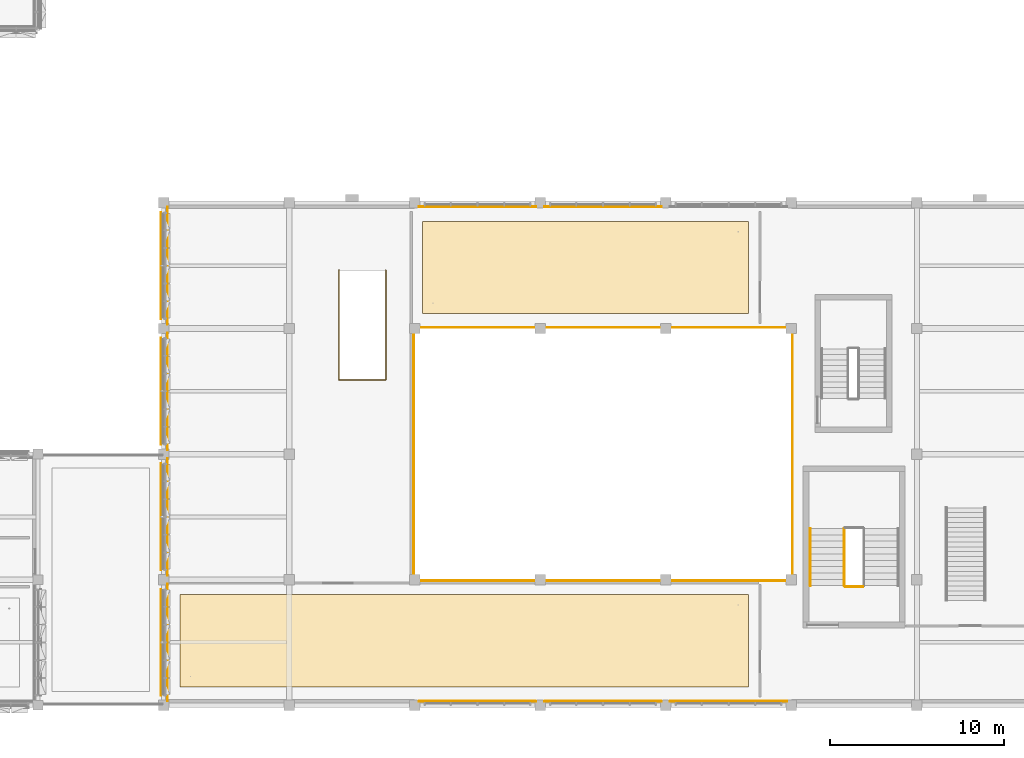
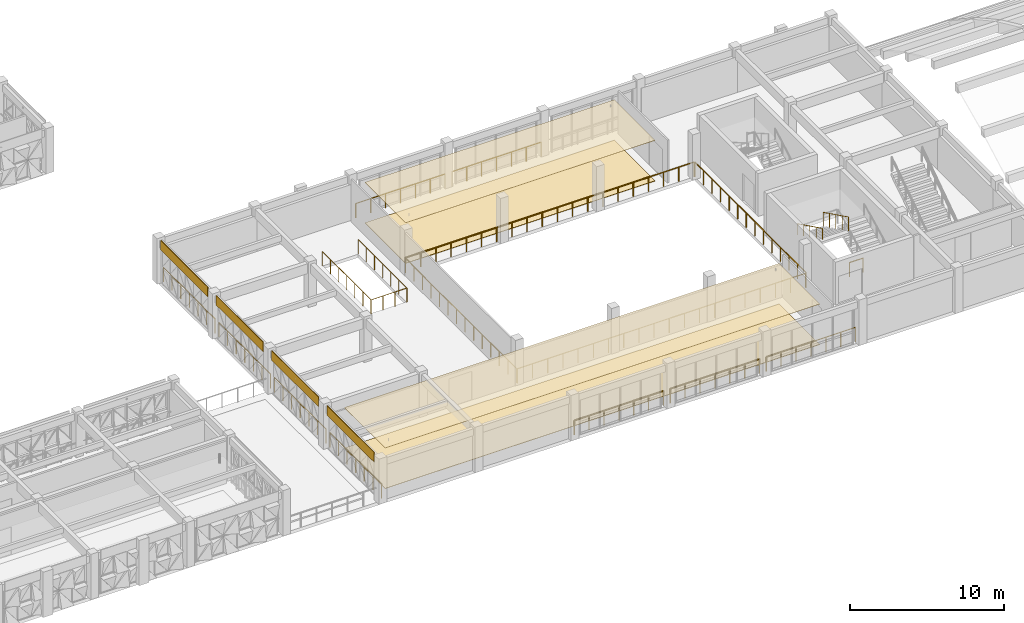
# One storey, part 72 of 85: 17 railings, 8 coverings.
"""IFC4 building model written with IfcOpenShell, lengths in metres."""

from ifc_helpers import new_model, si_unit, direction, frame, origin, origin_2d, place, context, subcontext, project, spatial, polyline, circle, outline, extrude, material, layer, layer_set, type_object, element, save


model = new_model("IFC4")

# Units and contexts
model_context = context("Model", 3, precision=1e-05, world=origin(), true_north=direction((0.0, 1.0)))
body_context = subcontext(model_context, "Body", "Model", "MODEL_VIEW")
ifc_project = project(units=[si_unit("LENGTHUNIT", "METRE"), si_unit("AREAUNIT", "SQUARE_METRE"), si_unit("VOLUMEUNIT", "CUBIC_METRE"), si_unit("PLANEANGLEUNIT", "RADIAN"), si_unit("MASSUNIT", "GRAM", prefix="KILO")], contexts=[model_context])

# Site, building, storey
site_placement = place(None, origin())
site = spatial("IfcSite", under=ifc_project, at=site_placement, CompositionType="ELEMENT")
building_placement = place(site_placement, origin())
building = spatial("IfcBuilding", under=site, at=building_placement, Name="Alvorim Cloister Faculty of Sciences", CompositionType="ELEMENT")
storey_placement = place(building_placement, frame((0.0, 0.0, 8.550048828125)))
storey = spatial("IfcBuildingStorey", under=building, at=storey_placement, Name="L02", CompositionType="ELEMENT", Elevation=8.550048828125)

# Coverings
ifc_material_1 = material(Name="Perforated Timber Acoustic Ceiling", Category="wood")
ifc_layer_1 = layer(ifc_material_1, 0.030029296875)
ifc_layer_set_1 = layer_set([ifc_layer_1], Name="Perforated Timber Acoustic Ceiling")
covering_type_1 = type_object("IfcCoveringType", Name="COV-CEIL-ACOUSTIC", PredefinedType="CEILING", material=ifc_layer_set_1)
covering_1_placement = place(storey_placement, frame((0.0, 0.0, 3.2099609375)))
element("IfcCovering", 1, at=covering_1_placement, inside=storey, type_object=covering_type_1, Name="Atrium South Tutorial Rooms Acoustic Ceiling", PredefinedType="CEILING", context=body_context, shape_type="SweptSolid", body=[
    extrude(outline(polyline([(65.75, 1.050048828125), (98.35009765625, 1.050048828125), (98.35009765625, 6.35009765625), (65.75, 6.35009765625), (65.75, 1.050048828125)])), origin(), (0.0, 0.0, 1.0), 0.030029296875),
])
covering_2_placement = place(storey_placement, frame((0.0, 0.0, 3.2099609375)))
element("IfcCovering", 2, at=covering_2_placement, inside=storey, type_object=covering_type_1, Name="Atrium North Study Bridge Acoustic Ceiling", PredefinedType="CEILING", context=body_context, shape_type="SweptSolid", body=[
    extrude(outline(polyline([(79.64990234375, 22.449951171875), (98.35009765625, 22.449951171875), (98.35009765625, 27.75), (79.64990234375, 27.75), (79.64990234375, 22.449951171875)])), origin(), (0.0, 0.0, 1.0), 0.030029296875),
])
ifc_material_2 = material(Name="Anodised Aluminium Alloy 6063-T6", Category="aluminium")
ifc_layer_2 = layer(ifc_material_2, 0.031982421875)
ifc_layer_set_2 = layer_set([ifc_layer_2], Name="Anodised Aluminium Alloy 6063-T6")
covering_type_2 = type_object("IfcCoveringType", Name="COV-FAC-CAS", PredefinedType="CLADDING", material=ifc_layer_set_2)
for number, where, z_axis, x_axis, name in (
    (3, (64.64990234375, 0.5400390625, 2.829833984375), (0.0, 0.0, 1.0), (0.0, 1.0, 0.0), "L02 Shifted Bar Slab-Edge Architectural Fascia"),
    (4, (64.64990234375, 7.739990234375, 2.829833984375), (0.0, 0.0, 1.0), (0.0, 1.0, 0.0), "L02 Shifted Bar Slab-Edge Architectural Fascia"),
    (5, (64.64990234375, 14.93994140625, 2.829833984375), (0.0, 0.0, 1.0), (0.0, 1.0, 0.0), "L02 Shifted Bar Slab-Edge Architectural Fascia"),
    (6, (64.64990234375, 22.139892578125, 2.829833984375), (0.0, 0.0, 1.0), (0.0, 1.0, 0.0), "L02 Shifted Bar Slab-Edge Architectural Fascia"),
):
    element("IfcCovering", number, at=place(storey_placement, frame(where, z_axis=z_axis, x_axis=x_axis)), inside=storey, type_object=covering_type_2, Name=name, PredefinedType="CLADDING", context=body_context, shape_type="SweptSolid", body=[
        extrude(outline(polyline([(0.0, 0.0), (6.1201171875, 0.0), (6.1201171875, 0.760009765625), (0.0, 0.760009765625), (0.0, 0.0)])), frame((0.0, 0.0224609375, 0.0), z_axis=(0.0, -1.0, 0.0), x_axis=(1.0, 0.0, 0.0)), (0.0, 0.0, 1.0), 0.044921875),
    ])
ifc_material_3 = material(Name="Polished Mineral Terrazzo", Category="concrete")
ifc_layer_3 = layer(ifc_material_3, 0.030029296875)
ifc_layer_set_3 = layer_set([ifc_layer_3], Name="Polished Mineral Terrazzo")
covering_type_3 = type_object("IfcCoveringType", Name="COV-FLR-TERRAZZO", PredefinedType="FLOORING", material=ifc_layer_set_3)
covering_3_placement = place(storey_placement, origin())
element("IfcCovering", 7, at=covering_3_placement, inside=storey, type_object=covering_type_3, Name="Atrium South Tutorial Rooms Floor Finish", PredefinedType="FLOORING", context=body_context, shape_type="SweptSolid", body=[
    extrude(outline(polyline([(65.75, 1.050048828125), (98.35009765625, 1.050048828125), (98.35009765625, 6.35009765625), (65.75, 6.35009765625), (65.75, 1.050048828125)])), origin(), (0.0, 0.0, 1.0), 0.030029296875),
])
covering_4_placement = place(storey_placement, origin())
element("IfcCovering", 8, at=covering_4_placement, inside=storey, type_object=covering_type_3, Name="Atrium North Study Bridge Floor Finish", PredefinedType="FLOORING", context=body_context, shape_type="SweptSolid", body=[
    extrude(outline(polyline([(79.64990234375, 22.449951171875), (98.35009765625, 22.449951171875), (98.35009765625, 27.75), (79.64990234375, 27.75), (79.64990234375, 22.449951171875)])), origin(), (0.0, 0.0, 1.0), 0.030029296875),
])

# Railings
ifc_material_4 = material(Name="Laminated Safety Glass and Bronze", Category="glass")
railing_type_1 = type_object("IfcRailingType", Name="RL-ATR-BAL-1150", PredefinedType="BALUSTRADE", material=ifc_material_4)
railing_1_placement = place(storey_placement, frame((93.85009765625, 0.219970703125, 0.0)))
element("IfcRailing", 9, at=railing_1_placement, inside=storey, type_object=railing_type_1, Name="L02 Curtain Wall Sill Guard BL-84", PredefinedType="BALUSTRADE", context=body_context, shape_type="SweptSolid", body=[
    extrude(circle(Radius=0.02392578125, at=origin_2d()), frame((0.0, 0.0, 1.1259765625), z_axis=(1.0, 0.0, 0.0), x_axis=(0.0, 1.0, 0.0)), (0.0, 0.0, 1.0), 6.699951171875),
    extrude(circle(Radius=0.02099609375, at=origin_2d()), origin(), (0.0, 0.0, 1.0), 1.101806640625),
    extrude(circle(Radius=0.02099609375, at=origin_2d()), frame((1.11669921875, 0.0, 0.0)), (0.0, 0.0, 1.0), 1.101806640625),
    extrude(circle(Radius=0.02099609375, at=origin_2d()), frame((2.2333984375, 0.0, 0.0)), (0.0, 0.0, 1.0), 1.101806640625),
    extrude(circle(Radius=0.02099609375, at=origin_2d()), frame((3.35009765625, 0.0, 0.0)), (0.0, 0.0, 1.0), 1.101806640625),
    extrude(circle(Radius=0.02099609375, at=origin_2d()), frame((4.466552734375, 0.0, 0.0)), (0.0, 0.0, 1.0), 1.101806640625),
    extrude(circle(Radius=0.02099609375, at=origin_2d()), frame((5.583251953125, 0.0, 0.0)), (0.0, 0.0, 1.0), 1.101806640625),
    extrude(circle(Radius=0.02099609375, at=origin_2d()), frame((6.699951171875, 0.0, 0.0)), (0.0, 0.0, 1.0), 1.101806640625),
])
railing_2_placement = place(storey_placement, frame((86.64990234375, 0.219970703125, 0.0)))
element("IfcRailing", 10, at=railing_2_placement, inside=storey, type_object=railing_type_1, Name="L02 Curtain Wall Sill Guard BL-85", PredefinedType="BALUSTRADE", context=body_context, shape_type="SweptSolid", body=[
    extrude(circle(Radius=0.02392578125, at=origin_2d()), frame((0.0, 0.0, 1.1259765625), z_axis=(1.0, 0.0, 0.0), x_axis=(0.0, 1.0, 0.0)), (0.0, 0.0, 1.0), 6.7001953125),
    extrude(circle(Radius=0.02099609375, at=origin_2d()), origin(), (0.0, 0.0, 1.0), 1.101806640625),
    extrude(circle(Radius=0.02099609375, at=origin_2d()), frame((1.11669921875, 0.0, 0.0)), (0.0, 0.0, 1.0), 1.101806640625),
    extrude(circle(Radius=0.02099609375, at=origin_2d()), frame((2.2333984375, 0.0, 0.0)), (0.0, 0.0, 1.0), 1.101806640625),
    extrude(circle(Radius=0.02099609375, at=origin_2d()), frame((3.35009765625, 0.0, 0.0)), (0.0, 0.0, 1.0), 1.101806640625),
    extrude(circle(Radius=0.02099609375, at=origin_2d()), frame((4.466796875, 0.0, 0.0)), (0.0, 0.0, 1.0), 1.101806640625),
    extrude(circle(Radius=0.02099609375, at=origin_2d()), frame((5.58349609375, 0.0, 0.0)), (0.0, 0.0, 1.0), 1.101806640625),
    extrude(circle(Radius=0.02099609375, at=origin_2d()), frame((6.7001953125, 0.0, 0.0)), (0.0, 0.0, 1.0), 1.101806640625),
])
railing_3_placement = place(storey_placement, frame((79.449951171875, 0.219970703125, 0.0)))
element("IfcRailing", 11, at=railing_3_placement, inside=storey, type_object=railing_type_1, Name="L02 Curtain Wall Sill Guard BL-86", PredefinedType="BALUSTRADE", context=body_context, shape_type="SweptSolid", body=[
    extrude(circle(Radius=0.02392578125, at=origin_2d()), frame((0.0, 0.0, 1.1259765625), z_axis=(1.0, 0.0, 0.0), x_axis=(0.0, 1.0, 0.0)), (0.0, 0.0, 1.0), 6.699951171875),
    extrude(circle(Radius=0.02099609375, at=origin_2d()), origin(), (0.0, 0.0, 1.0), 1.101806640625),
    extrude(circle(Radius=0.02099609375, at=origin_2d()), frame((1.11669921875, 0.0, 0.0)), (0.0, 0.0, 1.0), 1.101806640625),
    extrude(circle(Radius=0.02099609375, at=origin_2d()), frame((2.2333984375, 0.0, 0.0)), (0.0, 0.0, 1.0), 1.101806640625),
    extrude(circle(Radius=0.02099609375, at=origin_2d()), frame((3.35009765625, 0.0, 0.0)), (0.0, 0.0, 1.0), 1.101806640625),
    extrude(circle(Radius=0.02099609375, at=origin_2d()), frame((4.466552734375, 0.0, 0.0)), (0.0, 0.0, 1.0), 1.101806640625),
    extrude(circle(Radius=0.02099609375, at=origin_2d()), frame((5.583251953125, 0.0, 0.0)), (0.0, 0.0, 1.0), 1.101806640625),
    extrude(circle(Radius=0.02099609375, at=origin_2d()), frame((6.699951171875, 0.0, 0.0)), (0.0, 0.0, 1.0), 1.101806640625),
])
for number, where, name in (
    (12, (65.02001953125, 0.25, 0.0), "L02 Curtain Wall Sill Guard BL-87"),
    (13, (65.02001953125, 7.449951171875, 0.0), "L02 Curtain Wall Sill Guard BL-88"),
):
    element("IfcRailing", number, at=place(storey_placement, frame(where)), inside=storey, type_object=railing_type_1, Name=name, PredefinedType="BALUSTRADE", context=body_context, shape_type="SweptSolid", body=[
        extrude(circle(Radius=0.02392578125, at=origin_2d()), frame((0.0, 0.0, 1.1259765625), z_axis=(0.0, 1.0, 0.0), x_axis=(-1.0, 0.0, 0.0)), (0.0, 0.0, 1.0), 6.699951171875),
        extrude(circle(Radius=0.02099609375, at=origin_2d()), origin(), (0.0, 0.0, 1.0), 1.101806640625),
        extrude(circle(Radius=0.02099609375, at=origin_2d()), frame((0.0, 1.11669921875, 0.0)), (0.0, 0.0, 1.0), 1.101806640625),
        extrude(circle(Radius=0.02099609375, at=origin_2d()), frame((0.0, 2.2333984375, 0.0)), (0.0, 0.0, 1.0), 1.101806640625),
        extrude(circle(Radius=0.02099609375, at=origin_2d()), frame((0.0, 3.35009765625, 0.0)), (0.0, 0.0, 1.0), 1.101806640625),
        extrude(circle(Radius=0.02099609375, at=origin_2d()), frame((0.0, 4.466552734375, 0.0)), (0.0, 0.0, 1.0), 1.101806640625),
        extrude(circle(Radius=0.02099609375, at=origin_2d()), frame((0.0, 5.583251953125, 0.0)), (0.0, 0.0, 1.0), 1.101806640625),
        extrude(circle(Radius=0.02099609375, at=origin_2d()), frame((0.0, 6.699951171875, 0.0)), (0.0, 0.0, 1.0), 1.101806640625),
    ])
railing_4_placement = place(storey_placement, frame((65.02001953125, 14.64990234375, 0.0)))
element("IfcRailing", 14, at=railing_4_placement, inside=storey, type_object=railing_type_1, Name="L02 Curtain Wall Sill Guard BL-89", PredefinedType="BALUSTRADE", context=body_context, shape_type="SweptSolid", body=[
    extrude(circle(Radius=0.02392578125, at=origin_2d()), frame((0.0, 0.0, 1.1259765625), z_axis=(0.0, 1.0, 0.0), x_axis=(-1.0, 0.0, 0.0)), (0.0, 0.0, 1.0), 6.7001953125),
    extrude(circle(Radius=0.02099609375, at=origin_2d()), origin(), (0.0, 0.0, 1.0), 1.101806640625),
    extrude(circle(Radius=0.02099609375, at=origin_2d()), frame((0.0, 1.11669921875, 0.0)), (0.0, 0.0, 1.0), 1.101806640625),
    extrude(circle(Radius=0.02099609375, at=origin_2d()), frame((0.0, 2.2333984375, 0.0)), (0.0, 0.0, 1.0), 1.101806640625),
    extrude(circle(Radius=0.02099609375, at=origin_2d()), frame((0.0, 3.35009765625, 0.0)), (0.0, 0.0, 1.0), 1.101806640625),
    extrude(circle(Radius=0.02099609375, at=origin_2d()), frame((0.0, 4.466796875, 0.0)), (0.0, 0.0, 1.0), 1.101806640625),
    extrude(circle(Radius=0.02099609375, at=origin_2d()), frame((0.0, 5.58349609375, 0.0)), (0.0, 0.0, 1.0), 1.101806640625),
    extrude(circle(Radius=0.02099609375, at=origin_2d()), frame((0.0, 6.7001953125, 0.0)), (0.0, 0.0, 1.0), 1.101806640625),
])
railing_5_placement = place(storey_placement, frame((65.02001953125, 21.85009765625, 0.0)))
element("IfcRailing", 15, at=railing_5_placement, inside=storey, type_object=railing_type_1, Name="L02 Curtain Wall Sill Guard BL-90", PredefinedType="BALUSTRADE", context=body_context, shape_type="SweptSolid", body=[
    extrude(circle(Radius=0.02392578125, at=origin_2d()), frame((0.0, 0.0, 1.1259765625), z_axis=(0.0, 1.0, 0.0), x_axis=(-1.0, 0.0, 0.0)), (0.0, 0.0, 1.0), 6.699951171875),
    extrude(circle(Radius=0.02099609375, at=origin_2d()), origin(), (0.0, 0.0, 1.0), 1.101806640625),
    extrude(circle(Radius=0.02099609375, at=origin_2d()), frame((0.0, 1.11669921875, 0.0)), (0.0, 0.0, 1.0), 1.101806640625),
    extrude(circle(Radius=0.02099609375, at=origin_2d()), frame((0.0, 2.2333984375, 0.0)), (0.0, 0.0, 1.0), 1.101806640625),
    extrude(circle(Radius=0.02099609375, at=origin_2d()), frame((0.0, 3.35009765625, 0.0)), (0.0, 0.0, 1.0), 1.101806640625),
    extrude(circle(Radius=0.02099609375, at=origin_2d()), frame((0.0, 4.466552734375, 0.0)), (0.0, 0.0, 1.0), 1.101806640625),
    extrude(circle(Radius=0.02099609375, at=origin_2d()), frame((0.0, 5.583251953125, 0.0)), (0.0, 0.0, 1.0), 1.101806640625),
    extrude(circle(Radius=0.02099609375, at=origin_2d()), frame((0.0, 6.699951171875, 0.0)), (0.0, 0.0, 1.0), 1.101806640625),
])
railing_6_placement = place(storey_placement, frame((79.449951171875, 28.580078125, 0.0)))
element("IfcRailing", 16, at=railing_6_placement, inside=storey, type_object=railing_type_1, Name="L02 Curtain Wall Sill Guard BL-91", PredefinedType="BALUSTRADE", context=body_context, shape_type="SweptSolid", body=[
    extrude(circle(Radius=0.02392578125, at=origin_2d()), frame((0.0, 0.0, 1.1259765625), z_axis=(1.0, 0.0, 0.0), x_axis=(0.0, 1.0, 0.0)), (0.0, 0.0, 1.0), 6.699951171875),
    extrude(circle(Radius=0.02099609375, at=origin_2d()), origin(), (0.0, 0.0, 1.0), 1.101806640625),
    extrude(circle(Radius=0.02099609375, at=origin_2d()), frame((1.11669921875, 0.0, 0.0)), (0.0, 0.0, 1.0), 1.101806640625),
    extrude(circle(Radius=0.02099609375, at=origin_2d()), frame((2.2333984375, 0.0, 0.0)), (0.0, 0.0, 1.0), 1.101806640625),
    extrude(circle(Radius=0.02099609375, at=origin_2d()), frame((3.35009765625, 0.0, 0.0)), (0.0, 0.0, 1.0), 1.101806640625),
    extrude(circle(Radius=0.02099609375, at=origin_2d()), frame((4.466552734375, 0.0, 0.0)), (0.0, 0.0, 1.0), 1.101806640625),
    extrude(circle(Radius=0.02099609375, at=origin_2d()), frame((5.583251953125, 0.0, 0.0)), (0.0, 0.0, 1.0), 1.101806640625),
    extrude(circle(Radius=0.02099609375, at=origin_2d()), frame((6.699951171875, 0.0, 0.0)), (0.0, 0.0, 1.0), 1.101806640625),
])
railing_7_placement = place(storey_placement, frame((86.64990234375, 28.580078125, 0.0)))
element("IfcRailing", 17, at=railing_7_placement, inside=storey, type_object=railing_type_1, Name="L02 Curtain Wall Sill Guard BL-92", PredefinedType="BALUSTRADE", context=body_context, shape_type="SweptSolid", body=[
    extrude(circle(Radius=0.02392578125, at=origin_2d()), frame((0.0, 0.0, 1.1259765625), z_axis=(1.0, 0.0, 0.0), x_axis=(0.0, 1.0, 0.0)), (0.0, 0.0, 1.0), 6.7001953125),
    extrude(circle(Radius=0.02099609375, at=origin_2d()), origin(), (0.0, 0.0, 1.0), 1.101806640625),
    extrude(circle(Radius=0.02099609375, at=origin_2d()), frame((1.11669921875, 0.0, 0.0)), (0.0, 0.0, 1.0), 1.101806640625),
    extrude(circle(Radius=0.02099609375, at=origin_2d()), frame((2.2333984375, 0.0, 0.0)), (0.0, 0.0, 1.0), 1.101806640625),
    extrude(circle(Radius=0.02099609375, at=origin_2d()), frame((3.35009765625, 0.0, 0.0)), (0.0, 0.0, 1.0), 1.101806640625),
    extrude(circle(Radius=0.02099609375, at=origin_2d()), frame((4.466796875, 0.0, 0.0)), (0.0, 0.0, 1.0), 1.101806640625),
    extrude(circle(Radius=0.02099609375, at=origin_2d()), frame((5.58349609375, 0.0, 0.0)), (0.0, 0.0, 1.0), 1.101806640625),
    extrude(circle(Radius=0.02099609375, at=origin_2d()), frame((6.7001953125, 0.0, 0.0)), (0.0, 0.0, 1.0), 1.101806640625),
])
railing_8_placement = place(storey_placement, frame((79.18994140625, 7.139892578125, 0.0)))
element("IfcRailing", 18, at=railing_8_placement, inside=storey, type_object=railing_type_1, Name="L02 Atrium Void Balustrade BL-319", PredefinedType="BALUSTRADE", context=body_context, shape_type="SweptSolid", body=[
    extrude(circle(Radius=0.02392578125, at=origin_2d()), frame((0.0, 0.0, 1.1259765625), z_axis=(1.0, 0.0, 0.0), x_axis=(0.0, 1.0, 0.0)), (0.0, 0.0, 1.0), 21.6201171875),
    extrude(circle(Radius=0.02099609375, at=origin_2d()), origin(), (0.0, 0.0, 1.0), 1.101806640625),
    extrude(circle(Radius=0.02099609375, at=origin_2d()), frame((1.137939453125, 0.0, 0.0)), (0.0, 0.0, 1.0), 1.101806640625),
    extrude(circle(Radius=0.02099609375, at=origin_2d()), frame((2.27587890625, 0.0, 0.0)), (0.0, 0.0, 1.0), 1.101806640625),
    extrude(circle(Radius=0.02099609375, at=origin_2d()), frame((3.413818359375, 0.0, 0.0)), (0.0, 0.0, 1.0), 1.101806640625),
    extrude(circle(Radius=0.02099609375, at=origin_2d()), frame((4.551513671875, 0.0, 0.0)), (0.0, 0.0, 1.0), 1.101806640625),
    extrude(circle(Radius=0.02099609375, at=origin_2d()), frame((5.689453125, 0.0, 0.0)), (0.0, 0.0, 1.0), 1.101806640625),
    extrude(circle(Radius=0.02099609375, at=origin_2d()), frame((6.827392578125, 0.0, 0.0)), (0.0, 0.0, 1.0), 1.101806640625),
    extrude(circle(Radius=0.02099609375, at=origin_2d()), frame((7.96533203125, 0.0, 0.0)), (0.0, 0.0, 1.0), 1.101806640625),
    extrude(circle(Radius=0.02099609375, at=origin_2d()), frame((9.103271484375, 0.0, 0.0)), (0.0, 0.0, 1.0), 1.101806640625),
    extrude(circle(Radius=0.02099609375, at=origin_2d()), frame((10.2412109375, 0.0, 0.0)), (0.0, 0.0, 1.0), 1.101806640625),
    extrude(circle(Radius=0.02099609375, at=origin_2d()), frame((11.37890625, 0.0, 0.0)), (0.0, 0.0, 1.0), 1.101806640625),
    extrude(circle(Radius=0.02099609375, at=origin_2d()), frame((12.516845703125, 0.0, 0.0)), (0.0, 0.0, 1.0), 1.101806640625),
    extrude(circle(Radius=0.02099609375, at=origin_2d()), frame((13.65478515625, 0.0, 0.0)), (0.0, 0.0, 1.0), 1.101806640625),
    extrude(circle(Radius=0.02099609375, at=origin_2d()), frame((14.792724609375, 0.0, 0.0)), (0.0, 0.0, 1.0), 1.101806640625),
    extrude(circle(Radius=0.02099609375, at=origin_2d()), frame((15.9306640625, 0.0, 0.0)), (0.0, 0.0, 1.0), 1.101806640625),
    extrude(circle(Radius=0.02099609375, at=origin_2d()), frame((17.068603515625, 0.0, 0.0)), (0.0, 0.0, 1.0), 1.101806640625),
    extrude(circle(Radius=0.02099609375, at=origin_2d()), frame((18.206298828125, 0.0, 0.0)), (0.0, 0.0, 1.0), 1.101806640625),
    extrude(circle(Radius=0.02099609375, at=origin_2d()), frame((19.34423828125, 0.0, 0.0)), (0.0, 0.0, 1.0), 1.101806640625),
    extrude(circle(Radius=0.02099609375, at=origin_2d()), frame((20.482177734375, 0.0, 0.0)), (0.0, 0.0, 1.0), 1.101806640625),
    extrude(circle(Radius=0.02099609375, at=origin_2d()), frame((21.6201171875, 0.0, 0.0)), (0.0, 0.0, 1.0), 1.101806640625),
])
railing_9_placement = place(storey_placement, frame((100.860107421875, 7.18994140625, 0.0)))
element("IfcRailing", 19, at=railing_9_placement, inside=storey, type_object=railing_type_1, Name="L02 Atrium Void Balustrade BL-320", PredefinedType="BALUSTRADE", context=body_context, shape_type="SweptSolid", body=[
    extrude(circle(Radius=0.02392578125, at=origin_2d()), frame((0.0, 0.0, 1.1259765625), z_axis=(0.0, 1.0, 0.0), x_axis=(-1.0, 0.0, 0.0)), (0.0, 0.0, 1.0), 14.420166015625),
    extrude(circle(Radius=0.02099609375, at=origin_2d()), origin(), (0.0, 0.0, 1.0), 1.101806640625),
    extrude(circle(Radius=0.02099609375, at=origin_2d()), frame((0.0, 1.109130859375, 0.0)), (0.0, 0.0, 1.0), 1.101806640625),
    extrude(circle(Radius=0.02099609375, at=origin_2d()), frame((0.0, 2.218505859375, 0.0)), (0.0, 0.0, 1.0), 1.101806640625),
    extrude(circle(Radius=0.02099609375, at=origin_2d()), frame((0.0, 3.32763671875, 0.0)), (0.0, 0.0, 1.0), 1.101806640625),
    extrude(circle(Radius=0.02099609375, at=origin_2d()), frame((0.0, 4.43701171875, 0.0)), (0.0, 0.0, 1.0), 1.101806640625),
    extrude(circle(Radius=0.02099609375, at=origin_2d()), frame((0.0, 5.546142578125, 0.0)), (0.0, 0.0, 1.0), 1.101806640625),
    extrude(circle(Radius=0.02099609375, at=origin_2d()), frame((0.0, 6.655517578125, 0.0)), (0.0, 0.0, 1.0), 1.101806640625),
    extrude(circle(Radius=0.02099609375, at=origin_2d()), frame((0.0, 7.7646484375, 0.0)), (0.0, 0.0, 1.0), 1.101806640625),
    extrude(circle(Radius=0.02099609375, at=origin_2d()), frame((0.0, 8.8740234375, 0.0)), (0.0, 0.0, 1.0), 1.101806640625),
    extrude(circle(Radius=0.02099609375, at=origin_2d()), frame((0.0, 9.983154296875, 0.0)), (0.0, 0.0, 1.0), 1.101806640625),
    extrude(circle(Radius=0.02099609375, at=origin_2d()), frame((0.0, 11.092529296875, 0.0)), (0.0, 0.0, 1.0), 1.101806640625),
    extrude(circle(Radius=0.02099609375, at=origin_2d()), frame((0.0, 12.20166015625, 0.0)), (0.0, 0.0, 1.0), 1.101806640625),
    extrude(circle(Radius=0.02099609375, at=origin_2d()), frame((0.0, 13.31103515625, 0.0)), (0.0, 0.0, 1.0), 1.101806640625),
    extrude(circle(Radius=0.02099609375, at=origin_2d()), frame((0.0, 14.420166015625, 0.0)), (0.0, 0.0, 1.0), 1.101806640625),
])
railing_10_placement = place(storey_placement, frame((100.81005859375, 21.659912109375, 0.0)))
element("IfcRailing", 20, at=railing_10_placement, inside=storey, type_object=railing_type_1, Name="L02 Atrium Void Balustrade BL-321", PredefinedType="BALUSTRADE", context=body_context, shape_type="SweptSolid", body=[
    extrude(circle(Radius=0.02392578125, at=origin_2d()), frame((0.0, 0.0, 1.1259765625), z_axis=(-1.0, 0.0, 0.0), x_axis=(0.0, -1.0, 0.0)), (0.0, 0.0, 1.0), 21.6201171875),
    extrude(circle(Radius=0.02099609375, at=origin_2d()), origin(), (0.0, 0.0, 1.0), 1.101806640625),
    extrude(circle(Radius=0.02099609375, at=origin_2d()), frame((-1.137939453125, 0.0, 0.0)), (0.0, 0.0, 1.0), 1.101806640625),
    extrude(circle(Radius=0.02099609375, at=origin_2d()), frame((-2.27587890625, 0.0, 0.0)), (0.0, 0.0, 1.0), 1.101806640625),
    extrude(circle(Radius=0.02099609375, at=origin_2d()), frame((-3.413818359375, 0.0, 0.0)), (0.0, 0.0, 1.0), 1.101806640625),
    extrude(circle(Radius=0.02099609375, at=origin_2d()), frame((-4.551513671875, 0.0, 0.0)), (0.0, 0.0, 1.0), 1.101806640625),
    extrude(circle(Radius=0.02099609375, at=origin_2d()), frame((-5.689453125, 0.0, 0.0)), (0.0, 0.0, 1.0), 1.101806640625),
    extrude(circle(Radius=0.02099609375, at=origin_2d()), frame((-6.827392578125, 0.0, 0.0)), (0.0, 0.0, 1.0), 1.101806640625),
    extrude(circle(Radius=0.02099609375, at=origin_2d()), frame((-7.96533203125, 0.0, 0.0)), (0.0, 0.0, 1.0), 1.101806640625),
    extrude(circle(Radius=0.02099609375, at=origin_2d()), frame((-9.103271484375, 0.0, 0.0)), (0.0, 0.0, 1.0), 1.101806640625),
    extrude(circle(Radius=0.02099609375, at=origin_2d()), frame((-10.2412109375, 0.0, 0.0)), (0.0, 0.0, 1.0), 1.101806640625),
    extrude(circle(Radius=0.02099609375, at=origin_2d()), frame((-11.37890625, 0.0, 0.0)), (0.0, 0.0, 1.0), 1.101806640625),
    extrude(circle(Radius=0.02099609375, at=origin_2d()), frame((-12.516845703125, 0.0, 0.0)), (0.0, 0.0, 1.0), 1.101806640625),
    extrude(circle(Radius=0.02099609375, at=origin_2d()), frame((-13.65478515625, 0.0, 0.0)), (0.0, 0.0, 1.0), 1.101806640625),
    extrude(circle(Radius=0.02099609375, at=origin_2d()), frame((-14.792724609375, 0.0, 0.0)), (0.0, 0.0, 1.0), 1.101806640625),
    extrude(circle(Radius=0.02099609375, at=origin_2d()), frame((-15.9306640625, 0.0, 0.0)), (0.0, 0.0, 1.0), 1.101806640625),
    extrude(circle(Radius=0.02099609375, at=origin_2d()), frame((-17.068603515625, 0.0, 0.0)), (0.0, 0.0, 1.0), 1.101806640625),
    extrude(circle(Radius=0.02099609375, at=origin_2d()), frame((-18.206298828125, 0.0, 0.0)), (0.0, 0.0, 1.0), 1.101806640625),
    extrude(circle(Radius=0.02099609375, at=origin_2d()), frame((-19.34423828125, 0.0, 0.0)), (0.0, 0.0, 1.0), 1.101806640625),
    extrude(circle(Radius=0.02099609375, at=origin_2d()), frame((-20.482177734375, 0.0, 0.0)), (0.0, 0.0, 1.0), 1.101806640625),
    extrude(circle(Radius=0.02099609375, at=origin_2d()), frame((-21.6201171875, 0.0, 0.0)), (0.0, 0.0, 1.0), 1.101806640625),
])
railing_11_placement = place(storey_placement, frame((79.139892578125, 21.610107421875, 0.0)))
element("IfcRailing", 21, at=railing_11_placement, inside=storey, type_object=railing_type_1, Name="L02 Atrium Void Balustrade BL-322", PredefinedType="BALUSTRADE", context=body_context, shape_type="SweptSolid", body=[
    extrude(circle(Radius=0.02392578125, at=origin_2d()), frame((0.0, 0.0, 1.1259765625), z_axis=(0.0, -1.0, 0.0), x_axis=(1.0, 0.0, 0.0)), (0.0, 0.0, 1.0), 14.420166015625),
    extrude(circle(Radius=0.02099609375, at=origin_2d()), origin(), (0.0, 0.0, 1.0), 1.101806640625),
    extrude(circle(Radius=0.02099609375, at=origin_2d()), frame((0.0, -1.109130859375, 0.0)), (0.0, 0.0, 1.0), 1.101806640625),
    extrude(circle(Radius=0.02099609375, at=origin_2d()), frame((0.0, -2.218505859375, 0.0)), (0.0, 0.0, 1.0), 1.101806640625),
    extrude(circle(Radius=0.02099609375, at=origin_2d()), frame((0.0, -3.32763671875, 0.0)), (0.0, 0.0, 1.0), 1.101806640625),
    extrude(circle(Radius=0.02099609375, at=origin_2d()), frame((0.0, -4.43701171875, 0.0)), (0.0, 0.0, 1.0), 1.101806640625),
    extrude(circle(Radius=0.02099609375, at=origin_2d()), frame((0.0, -5.546142578125, 0.0)), (0.0, 0.0, 1.0), 1.101806640625),
    extrude(circle(Radius=0.02099609375, at=origin_2d()), frame((0.0, -6.655517578125, 0.0)), (0.0, 0.0, 1.0), 1.101806640625),
    extrude(circle(Radius=0.02099609375, at=origin_2d()), frame((0.0, -7.7646484375, 0.0)), (0.0, 0.0, 1.0), 1.101806640625),
    extrude(circle(Radius=0.02099609375, at=origin_2d()), frame((0.0, -8.8740234375, 0.0)), (0.0, 0.0, 1.0), 1.101806640625),
    extrude(circle(Radius=0.02099609375, at=origin_2d()), frame((0.0, -9.983154296875, 0.0)), (0.0, 0.0, 1.0), 1.101806640625),
    extrude(circle(Radius=0.02099609375, at=origin_2d()), frame((0.0, -11.092529296875, 0.0)), (0.0, 0.0, 1.0), 1.101806640625),
    extrude(circle(Radius=0.02099609375, at=origin_2d()), frame((0.0, -12.20166015625, 0.0)), (0.0, 0.0, 1.0), 1.101806640625),
    extrude(circle(Radius=0.02099609375, at=origin_2d()), frame((0.0, -13.31103515625, 0.0)), (0.0, 0.0, 1.0), 1.101806640625),
    extrude(circle(Radius=0.02099609375, at=origin_2d()), frame((0.0, -14.420166015625, 0.0)), (0.0, 0.0, 1.0), 1.101806640625),
])
railing_12_placement = place(storey_placement, frame((74.85498046875, 24.9599609375, 0.0)))
element("IfcRailing", 22, at=railing_12_placement, inside=storey, type_object=railing_type_1, Name="L02 Monumental Stair Well Guard BL-340", PredefinedType="BALUSTRADE", context=body_context, shape_type="SweptSolid", body=[
    extrude(circle(Radius=0.02392578125, at=origin_2d()), frame((0.0, 0.0, 1.1259765625), z_axis=(0.0, -1.0, 0.0), x_axis=(1.0, 0.0, 0.0)), (0.0, 0.0, 1.0), 6.320068359375),
    extrude(circle(Radius=0.02392578125, at=origin_2d()), frame((0.0, -6.320068359375, 1.1259765625), z_axis=(1.0, 0.0, 0.0), x_axis=(0.0, 1.0, 0.0)), (0.0, 0.0, 1.0), 2.68994140625),
    extrude(circle(Radius=0.02392578125, at=origin_2d()), frame((2.68994140625, -6.320068359375, 1.1259765625), z_axis=(0.0, 1.0, 0.0), x_axis=(-1.0, 0.0, 0.0)), (0.0, 0.0, 1.0), 6.320068359375),
    extrude(circle(Radius=0.02099609375, at=origin_2d()), origin(), (0.0, 0.0, 1.0), 1.101806640625),
    extrude(circle(Radius=0.02099609375, at=origin_2d()), frame((0.0, -1.05322265625, 0.0)), (0.0, 0.0, 1.0), 1.101806640625),
    extrude(circle(Radius=0.02099609375, at=origin_2d()), frame((0.0, -2.106689453125, 0.0)), (0.0, 0.0, 1.0), 1.101806640625),
    extrude(circle(Radius=0.02099609375, at=origin_2d()), frame((0.0, -3.16015625, 0.0)), (0.0, 0.0, 1.0), 1.101806640625),
    extrude(circle(Radius=0.02099609375, at=origin_2d()), frame((0.0, -4.21337890625, 0.0)), (0.0, 0.0, 1.0), 1.101806640625),
    extrude(circle(Radius=0.02099609375, at=origin_2d()), frame((0.0, -5.2666015625, 0.0)), (0.0, 0.0, 1.0), 1.101806640625),
    extrude(circle(Radius=0.02099609375, at=origin_2d()), frame((0.0, -6.320068359375, 0.0)), (0.0, 0.0, 1.0), 1.101806640625),
    extrude(circle(Radius=0.02099609375, at=origin_2d()), frame((0.896728515625, -6.320068359375, 0.0)), (0.0, 0.0, 1.0), 1.101806640625),
    extrude(circle(Radius=0.02099609375, at=origin_2d()), frame((1.793212890625, -6.320068359375, 0.0)), (0.0, 0.0, 1.0), 1.101806640625),
    extrude(circle(Radius=0.02099609375, at=origin_2d()), frame((2.68994140625, -6.320068359375, 0.0)), (0.0, 0.0, 1.0), 1.101806640625),
    extrude(circle(Radius=0.02099609375, at=origin_2d()), frame((2.68994140625, -5.2666015625, 0.0)), (0.0, 0.0, 1.0), 1.101806640625),
    extrude(circle(Radius=0.02099609375, at=origin_2d()), frame((2.68994140625, -4.21337890625, 0.0)), (0.0, 0.0, 1.0), 1.101806640625),
    extrude(circle(Radius=0.02099609375, at=origin_2d()), frame((2.68994140625, -3.16015625, 0.0)), (0.0, 0.0, 1.0), 1.101806640625),
    extrude(circle(Radius=0.02099609375, at=origin_2d()), frame((2.68994140625, -2.106689453125, 0.0)), (0.0, 0.0, 1.0), 1.101806640625),
    extrude(circle(Radius=0.02099609375, at=origin_2d()), frame((2.68994140625, -1.05322265625, 0.0)), (0.0, 0.0, 1.0), 1.101806640625),
    extrude(circle(Radius=0.02099609375, at=origin_2d()), frame((2.68994140625, 0.0, 0.0)), (0.0, 0.0, 1.0), 1.101806640625),
])
ifc_material_5 = material(Name="Galvanised Painted Steel", Category="steel")
railing_type_2 = type_object("IfcRailingType", Name="RL-STR-GUARD", PredefinedType="GUARDRAIL", material=ifc_material_5)
railing_13_placement = place(storey_placement, frame((103.840087890625, 10.135009765625, 1.97998046875)))
element("IfcRailing", 23, at=railing_13_placement, inside=storey, type_object=railing_type_2, Name="L02 ST-12 stair guard 3", PredefinedType="GUARDRAIL", context=body_context, shape_type="SweptSolid", body=[
    extrude(circle(Radius=0.02392578125, at=origin_2d()), frame((0.0, 0.0, 1.09619140625), z_axis=(0.0, -0.896879925781, 0.442274121706), x_axis=(1.0, 0.0, 0.0)), (0.0, 0.0, 1.0), 3.66259765625),
    extrude(circle(Radius=0.02099609375, at=origin_2d()), origin(), (0.0, 0.0, 1.0), 1.072021484375),
    extrude(circle(Radius=0.02099609375, at=origin_2d()), frame((0.0, -0.8212890625, 0.405029296875)), (0.0, 0.0, 1.0), 1.072021484375),
    extrude(circle(Radius=0.02099609375, at=origin_2d()), frame((0.0, -1.642578125, 0.81005859375)), (0.0, 0.0, 1.0), 1.072021484375),
    extrude(circle(Radius=0.02099609375, at=origin_2d()), frame((0.0, -2.463623046875, 1.21484375)), (0.0, 0.0, 1.0), 1.072021484375),
    extrude(circle(Radius=0.02099609375, at=origin_2d()), frame((0.0, -3.284912109375, 1.619873046875)), (0.0, 0.0, 1.0), 1.072021484375),
])
railing_14_placement = place(storey_placement, frame((104.909912109375, 6.800048828125, 0.0)))
element("IfcRailing", 24, at=railing_14_placement, inside=storey, type_object=railing_type_2, Name="L02 ST-12 stair guard 4", PredefinedType="GUARDRAIL", context=body_context, shape_type="SweptSolid", body=[
    extrude(circle(Radius=0.02392578125, at=origin_2d()), frame((0.0, 0.0, 1.09619140625), z_axis=(-1.0, 0.0, 0.0), x_axis=(0.0, -1.0, 0.0)), (0.0, 0.0, 1.0), 1.02001953125),
    extrude(circle(Radius=0.02099609375, at=origin_2d()), origin(), (0.0, 0.0, 1.0), 1.072021484375),
    extrude(circle(Radius=0.02099609375, at=origin_2d()), frame((-1.02001953125, 0.0, 0.0)), (0.0, 0.0, 1.0), 1.072021484375),
])
ifc_material_6 = material(Name="Brushed Stainless Steel", Category="steel")
railing_type_3 = type_object("IfcRailingType", Name="RL-STR-HAND", PredefinedType="HANDRAIL", material=ifc_material_6)
railing_15_placement = place(storey_placement, frame((101.889892578125, 10.135009765625, 1.97998046875)))
element("IfcRailing", 25, at=railing_15_placement, inside=storey, type_object=railing_type_3, Name="L02 ST-12 stair handrail 2", PredefinedType="HANDRAIL", context=body_context, shape_type="SweptSolid", body=[
    extrude(circle(Radius=0.02392578125, at=origin_2d()), frame((0.0, 0.0, 0.8759765625), z_axis=(0.0, -0.896879925781, 0.442274121706), x_axis=(1.0, 0.0, 0.0)), (0.0, 0.0, 1.0), 3.66259765625),
    extrude(circle(Radius=0.02099609375, at=origin_2d()), origin(), (0.0, 0.0, 1.0), 0.851806640625),
    extrude(circle(Radius=0.02099609375, at=origin_2d()), frame((0.0, -0.8212890625, 0.405029296875)), (0.0, 0.0, 1.0), 0.851806640625),
    extrude(circle(Radius=0.02099609375, at=origin_2d()), frame((0.0, -1.642578125, 0.81005859375)), (0.0, 0.0, 1.0), 0.851806640625),
    extrude(circle(Radius=0.02099609375, at=origin_2d()), frame((0.0, -2.463623046875, 1.21484375)), (0.0, 0.0, 1.0), 0.851806640625),
    extrude(circle(Radius=0.02099609375, at=origin_2d()), frame((0.0, -3.284912109375, 1.619873046875)), (0.0, 0.0, 1.0), 0.851806640625),
])

save(model, "model.ifc")
